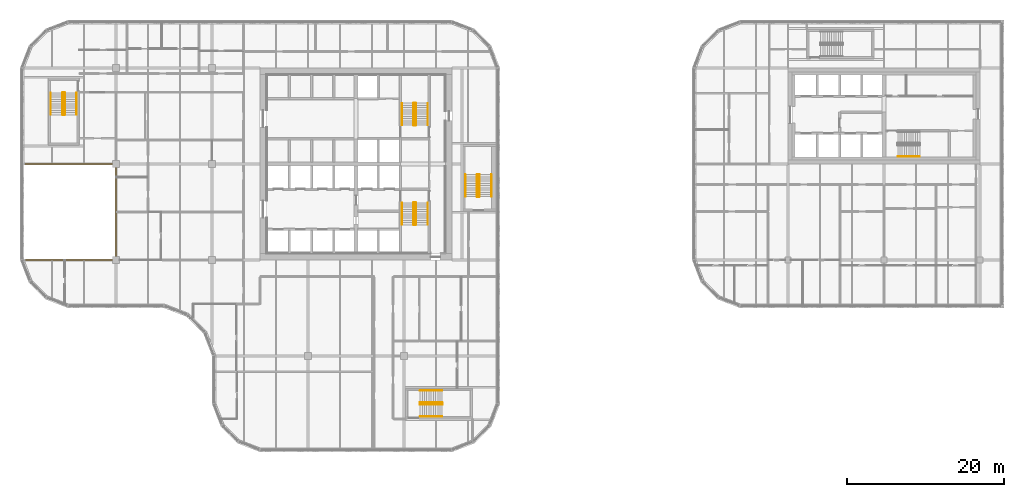
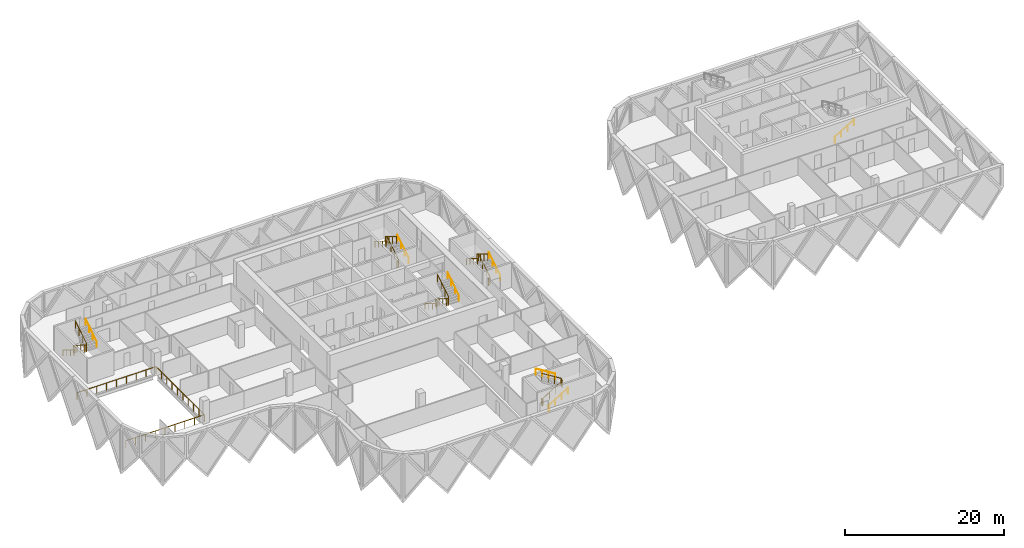
# One storey, part 23 of 24: 17 railings.
"""IFC4 building model written with IfcOpenShell, lengths in metres."""

from ifc_helpers import new_model, si_unit, direction, frame, origin, origin_2d, place, context, subcontext, project, spatial, circle, extrude, material, type_object, element, save


model = new_model("IFC4")

# Units and contexts
model_context = context("Model", 3, precision=1e-05, world=origin(), true_north=direction((0.0, 1.0)))
body_context = subcontext(model_context, "Body", "Model", "MODEL_VIEW")
ifc_project = project(units=[si_unit("LENGTHUNIT", "METRE"), si_unit("AREAUNIT", "SQUARE_METRE"), si_unit("VOLUMEUNIT", "CUBIC_METRE"), si_unit("PLANEANGLEUNIT", "RADIAN"), si_unit("MASSUNIT", "GRAM", prefix="KILO")], contexts=[model_context])

# Site, building, storey
site_placement = place(None, origin())
site = spatial("IfcSite", under=ifc_project, at=site_placement, CompositionType="ELEMENT")
building_placement = place(site_placement, origin())
building = spatial("IfcBuilding", under=site, at=building_placement, Name="Tessera Gate Towers", CompositionType="ELEMENT")
storey_placement = place(building_placement, frame((0.0, 0.0, 102.800048828125)))
storey = spatial("IfcBuildingStorey", under=building, at=storey_placement, Name="L25", CompositionType="ELEMENT", Elevation=102.800048828125)

# Railings
ifc_material_1 = material(Name="Toughened glass with stainless steel handrail", Category="steel")
railing_type_1 = type_object("IfcRailingType", Name="GUARD 1100 GLASS BALUSTRADE", PredefinedType="GUARDRAIL", material=ifc_material_1)
railing_1_placement = place(storey_placement, frame((0.750244140625, 24.39990234375, 0.0)))
element("IfcRailing", 1, at=railing_1_placement, inside=storey, type_object=railing_type_1, Name="Guard", PredefinedType="GUARDRAIL", context=body_context, shape_type="SweptSolid", body=[
    extrude(circle(Radius=0.02490234375, at=origin_2d()), frame((0.0, 0.0, 1.0751953125), z_axis=(1.0, 0.0, 0.0), x_axis=(0.0, 1.0, 0.0)), (0.0, 0.0, 1.0), 11.44970703125),
    extrude(circle(Radius=0.02490234375, at=origin_2d()), frame((11.44970703125, 0.0, 1.0751953125), z_axis=(0.0, 1.0, 0.0), x_axis=(-1.0, 0.0, 0.0)), (0.0, 0.0, 1.0), 12.2001953125),
    extrude(circle(Radius=0.02490234375, at=origin_2d()), frame((11.44970703125, 12.2001953125, 1.0751953125), z_axis=(-1.0, 0.0, 0.0), x_axis=(0.0, -1.0, 0.0)), (0.0, 0.0, 1.0), 11.5),
    extrude(circle(Radius=0.02490234375, at=origin_2d()), origin(), (0.0, 0.0, 1.0), 1.050048828125),
    extrude(circle(Radius=0.02490234375, at=origin_2d()), frame((1.43115234375, 0.0, 0.0)), (0.0, 0.0, 1.0), 1.050048828125),
    extrude(circle(Radius=0.02490234375, at=origin_2d()), frame((2.8623046875, 0.0, 0.0)), (0.0, 0.0, 1.0), 1.050048828125),
    extrude(circle(Radius=0.02490234375, at=origin_2d()), frame((4.293701171875, 0.0, 0.0)), (0.0, 0.0, 1.0), 1.050048828125),
    extrude(circle(Radius=0.02490234375, at=origin_2d()), frame((5.724853515625, 0.0, 0.0)), (0.0, 0.0, 1.0), 1.050048828125),
    extrude(circle(Radius=0.02490234375, at=origin_2d()), frame((7.156005859375, 0.0, 0.0)), (0.0, 0.0, 1.0), 1.050048828125),
    extrude(circle(Radius=0.02490234375, at=origin_2d()), frame((8.58740234375, 0.0, 0.0)), (0.0, 0.0, 1.0), 1.050048828125),
    extrude(circle(Radius=0.02490234375, at=origin_2d()), frame((10.0185546875, 0.0, 0.0)), (0.0, 0.0, 1.0), 1.050048828125),
    extrude(circle(Radius=0.02490234375, at=origin_2d()), frame((11.44970703125, 0.0, 0.0)), (0.0, 0.0, 1.0), 1.050048828125),
    extrude(circle(Radius=0.02490234375, at=origin_2d()), frame((11.44970703125, 1.35546875, 0.0)), (0.0, 0.0, 1.0), 1.050048828125),
    extrude(circle(Radius=0.02490234375, at=origin_2d()), frame((11.44970703125, 2.711181640625, 0.0)), (0.0, 0.0, 1.0), 1.050048828125),
    extrude(circle(Radius=0.02490234375, at=origin_2d()), frame((11.44970703125, 4.066650390625, 0.0)), (0.0, 0.0, 1.0), 1.050048828125),
    extrude(circle(Radius=0.02490234375, at=origin_2d()), frame((11.44970703125, 5.42236328125, 0.0)), (0.0, 0.0, 1.0), 1.050048828125),
    extrude(circle(Radius=0.02490234375, at=origin_2d()), frame((11.44970703125, 6.77783203125, 0.0)), (0.0, 0.0, 1.0), 1.050048828125),
    extrude(circle(Radius=0.02490234375, at=origin_2d()), frame((11.44970703125, 8.133544921875, 0.0)), (0.0, 0.0, 1.0), 1.050048828125),
    extrude(circle(Radius=0.02490234375, at=origin_2d()), frame((11.44970703125, 9.489013671875, 0.0)), (0.0, 0.0, 1.0), 1.050048828125),
    extrude(circle(Radius=0.02490234375, at=origin_2d()), frame((11.44970703125, 10.8447265625, 0.0)), (0.0, 0.0, 1.0), 1.050048828125),
    extrude(circle(Radius=0.02490234375, at=origin_2d()), frame((11.44970703125, 12.2001953125, 0.0)), (0.0, 0.0, 1.0), 1.050048828125),
    extrude(circle(Radius=0.02490234375, at=origin_2d()), frame((10.01220703125, 12.2001953125, 0.0)), (0.0, 0.0, 1.0), 1.050048828125),
    extrude(circle(Radius=0.02490234375, at=origin_2d()), frame((8.57470703125, 12.2001953125, 0.0)), (0.0, 0.0, 1.0), 1.050048828125),
    extrude(circle(Radius=0.02490234375, at=origin_2d()), frame((7.13720703125, 12.2001953125, 0.0)), (0.0, 0.0, 1.0), 1.050048828125),
    extrude(circle(Radius=0.02490234375, at=origin_2d()), frame((5.69970703125, 12.2001953125, 0.0)), (0.0, 0.0, 1.0), 1.050048828125),
    extrude(circle(Radius=0.02490234375, at=origin_2d()), frame((4.26220703125, 12.2001953125, 0.0)), (0.0, 0.0, 1.0), 1.050048828125),
    extrude(circle(Radius=0.02490234375, at=origin_2d()), frame((2.82470703125, 12.2001953125, 0.0)), (0.0, 0.0, 1.0), 1.050048828125),
    extrude(circle(Radius=0.02490234375, at=origin_2d()), frame((1.38720703125, 12.2001953125, 0.0)), (0.0, 0.0, 1.0), 1.050048828125),
    extrude(circle(Radius=0.02490234375, at=origin_2d()), frame((-0.05029296875, 12.2001953125, 0.0)), (0.0, 0.0, 1.0), 1.050048828125),
])
ifc_material_2 = material(Name="Steel 350W", Category="steel")
railing_type_2 = type_object("IfcRailingType", Name="STAIR GUARD 1100", PredefinedType="GUARDRAIL", material=ifc_material_2)
railing_2_placement = place(storey_placement, frame((50.27490234375, 31.72509765625, 0.0)))
element("IfcRailing", 2, at=railing_2_placement, inside=storey, type_object=railing_type_2, Name="L25 ST1 stair guard 1", PredefinedType="GUARDRAIL", context=body_context, shape_type="SweptSolid", body=[
    extrude(circle(Radius=0.02392578125, at=origin_2d()), frame((0.0, 0.0, 1.076171875), z_axis=(-1.0, 0.0, 0.0), x_axis=(0.0, -1.0, 0.0)), (0.0, 0.0, 1.0), 0.199951171875),
    extrude(circle(Radius=0.02392578125, at=origin_2d()), frame((-0.199951171875, 0.0, 1.076171875), z_axis=(-0.268277960024, -0.268277960024, 0.925231793839), x_axis=(0.707106781187, -0.707106781187, 0.0)), (0.0, 0.0, 1.0), 0.1865234375),
    extrude(circle(Radius=0.02392578125, at=origin_2d()), frame((-0.25, -0.050048828125, 1.24853515625), z_axis=(0.0, -0.851089632645, 0.525020415988), x_axis=(1.0, 0.0, 0.0)), (0.0, 0.0, 1.0), 3.2900390625),
    extrude(circle(Radius=0.02392578125, at=origin_2d()), frame((-0.25, -2.85009765625, 2.97607421875), z_axis=(0.707106781187, -0.707106781187, 0.0), x_axis=(0.707106781187, 0.707106781187, 0.0)), (0.0, 0.0, 1.0), 0.07080078125),
    extrude(circle(Radius=0.02392578125, at=origin_2d()), frame((-0.199951171875, -2.900146484375, 2.97607421875), z_axis=(1.0, 0.0, 0.0), x_axis=(0.0, 1.0, 0.0)), (0.0, 0.0, 1.0), 0.199951171875),
    extrude(circle(Radius=0.02392578125, at=origin_2d()), frame((0.0, -2.900146484375, 2.97607421875), z_axis=(0.267953482034, 0.267953482034, 0.925419830635), x_axis=(-0.707106781187, 0.707106781187, 0.0)), (0.0, 0.0, 1.0), 0.186767578125),
    extrude(circle(Radius=0.02392578125, at=origin_2d()), frame((0.050048828125, -2.85009765625, 3.14892578125), z_axis=(0.0, 0.851089632645, 0.525020415988), x_axis=(-1.0, 0.0, 0.0)), (0.0, 0.0, 1.0), 3.2900390625),
    extrude(circle(Radius=0.02099609375, at=origin_2d()), origin(), (0.0, 0.0, 1.0), 1.052001953125),
    extrude(circle(Radius=0.02099609375, at=origin_2d()), frame((-0.199951171875, 0.0, 0.0)), (0.0, 0.0, 1.0), 1.052001953125),
    extrude(circle(Radius=0.02099609375, at=origin_2d()), frame((-0.25, -0.050048828125, 0.172607421875)), (0.0, 0.0, 1.0), 1.052001953125),
    extrude(circle(Radius=0.02099609375, at=origin_2d()), frame((-0.25, -0.9833984375, 0.748291015625)), (0.0, 0.0, 1.0), 1.052001953125),
    extrude(circle(Radius=0.02099609375, at=origin_2d()), frame((-0.25, -1.916748046875, 1.32421875)), (0.0, 0.0, 1.0), 1.052001953125),
    extrude(circle(Radius=0.02099609375, at=origin_2d()), frame((-0.25, -2.85009765625, 1.89990234375)), (0.0, 0.0, 1.0), 1.052001953125),
    extrude(circle(Radius=0.02099609375, at=origin_2d()), frame((-0.199951171875, -2.900146484375, 1.89990234375)), (0.0, 0.0, 1.0), 1.052001953125),
    extrude(circle(Radius=0.02099609375, at=origin_2d()), frame((0.0, -2.900146484375, 1.89990234375)), (0.0, 0.0, 1.0), 1.052001953125),
    extrude(circle(Radius=0.02099609375, at=origin_2d()), frame((0.050048828125, -2.85009765625, 2.07275390625)), (0.0, 0.0, 1.0), 1.052001953125),
    extrude(circle(Radius=0.02099609375, at=origin_2d()), frame((0.050048828125, -1.916748046875, 2.6484375)), (0.0, 0.0, 1.0), 1.052001953125),
    extrude(circle(Radius=0.02099609375, at=origin_2d()), frame((0.050048828125, -0.9833984375, 3.224365234375)), (0.0, 0.0, 1.0), 1.052001953125),
    extrude(circle(Radius=0.02099609375, at=origin_2d()), frame((0.050048828125, -0.050048828125, 3.800048828125)), (0.0, 0.0, 1.0), 1.052001953125),
])
railing_3_placement = place(storey_placement, frame((50.074951171875, 41.47509765625, 0.0)))
element("IfcRailing", 3, at=railing_3_placement, inside=storey, type_object=railing_type_2, Name="L25 ST2 stair guard 1", PredefinedType="GUARDRAIL", context=body_context, shape_type="SweptSolid", body=[
    extrude(circle(Radius=0.02392578125, at=origin_2d()), frame((0.0, 0.0, 1.076171875), z_axis=(1.0, 0.0, 0.0), x_axis=(0.0, 1.0, 0.0)), (0.0, 0.0, 1.0), 0.199951171875),
    extrude(circle(Radius=0.02392578125, at=origin_2d()), frame((0.199951171875, 0.0, 1.076171875), z_axis=(0.268371968888, 0.267062837333, 0.925556009775), x_axis=(-0.705375805398, 0.708833529934, 0.0)), (0.0, 0.0, 1.0), 0.1865234375),
    extrude(circle(Radius=0.02392578125, at=origin_2d()), frame((0.25, 0.0498046875, 1.24853515625), z_axis=(0.0, 0.851089632645, 0.525020415988), x_axis=(-1.0, 0.0, 0.0)), (0.0, 0.0, 1.0), 3.2900390625),
    extrude(circle(Radius=0.02392578125, at=origin_2d()), frame((0.25, 2.849853515625, 2.97607421875), z_axis=(-0.707106781187, 0.707106781187, 0.0), x_axis=(-0.707106781187, -0.707106781187, 0.0)), (0.0, 0.0, 1.0), 0.07080078125),
    extrude(circle(Radius=0.02392578125, at=origin_2d()), frame((0.199951171875, 2.89990234375, 2.97607421875), z_axis=(-1.0, 0.0, 0.0), x_axis=(0.0, -1.0, 0.0)), (0.0, 0.0, 1.0), 0.199951171875),
    extrude(circle(Radius=0.02392578125, at=origin_2d()), frame((0.0, 2.89990234375, 2.97607421875), z_axis=(-0.267953482034, -0.267953482034, 0.925419830635), x_axis=(0.707106781187, -0.707106781187, 0.0)), (0.0, 0.0, 1.0), 0.186767578125),
    extrude(circle(Radius=0.02392578125, at=origin_2d()), frame((-0.050048828125, 2.849853515625, 3.14892578125), z_axis=(0.0, -0.851089632645, 0.525020415988), x_axis=(1.0, 0.0, 0.0)), (0.0, 0.0, 1.0), 3.2900390625),
    extrude(circle(Radius=0.02099609375, at=origin_2d()), origin(), (0.0, 0.0, 1.0), 1.052001953125),
    extrude(circle(Radius=0.02099609375, at=origin_2d()), frame((0.199951171875, 0.0, 0.0)), (0.0, 0.0, 1.0), 1.052001953125),
    extrude(circle(Radius=0.02099609375, at=origin_2d()), frame((0.25, 0.0498046875, 0.172607421875)), (0.0, 0.0, 1.0), 1.052001953125),
    extrude(circle(Radius=0.02099609375, at=origin_2d()), frame((0.25, 0.983154296875, 0.748291015625)), (0.0, 0.0, 1.0), 1.052001953125),
    extrude(circle(Radius=0.02099609375, at=origin_2d()), frame((0.25, 1.91650390625, 1.32421875)), (0.0, 0.0, 1.0), 1.052001953125),
    extrude(circle(Radius=0.02099609375, at=origin_2d()), frame((0.25, 2.849853515625, 1.89990234375)), (0.0, 0.0, 1.0), 1.052001953125),
    extrude(circle(Radius=0.02099609375, at=origin_2d()), frame((0.199951171875, 2.89990234375, 1.89990234375)), (0.0, 0.0, 1.0), 1.052001953125),
    extrude(circle(Radius=0.02099609375, at=origin_2d()), frame((0.0, 2.89990234375, 1.89990234375)), (0.0, 0.0, 1.0), 1.052001953125),
    extrude(circle(Radius=0.02099609375, at=origin_2d()), frame((-0.050048828125, 2.849853515625, 2.07275390625)), (0.0, 0.0, 1.0), 1.052001953125),
    extrude(circle(Radius=0.02099609375, at=origin_2d()), frame((-0.050048828125, 1.91650390625, 2.6484375)), (0.0, 0.0, 1.0), 1.052001953125),
    extrude(circle(Radius=0.02099609375, at=origin_2d()), frame((-0.050048828125, 0.983154296875, 3.224365234375)), (0.0, 0.0, 1.0), 1.052001953125),
    extrude(circle(Radius=0.02099609375, at=origin_2d()), frame((-0.050048828125, 0.0498046875, 3.800048828125)), (0.0, 0.0, 1.0), 1.052001953125),
])
railing_4_placement = place(storey_placement, frame((5.64990234375, 45.699951171875, 0.0)))
element("IfcRailing", 4, at=railing_4_placement, inside=storey, type_object=railing_type_2, Name="L25 ST3 stair guard 1", PredefinedType="GUARDRAIL", context=body_context, shape_type="SweptSolid", body=[
    extrude(circle(Radius=0.02392578125, at=origin_2d()), frame((0.0, 0.0, 1.076171875), z_axis=(-1.0, 0.0, 0.0), x_axis=(0.0, -1.0, 0.0)), (0.0, 0.0, 1.0), 0.199951171875),
    extrude(circle(Radius=0.02392578125, at=origin_2d()), frame((-0.199951171875, 0.0, 1.076171875), z_axis=(-0.268277960024, -0.268277960024, 0.925231793839), x_axis=(0.707106781187, -0.707106781187, 0.0)), (0.0, 0.0, 1.0), 0.1865234375),
    extrude(circle(Radius=0.02392578125, at=origin_2d()), frame((-0.25, -0.050048828125, 1.24853515625), z_axis=(0.0, -0.851069175582, 0.525053576669), x_axis=(1.0, 0.0, 0.0)), (0.0, 0.0, 1.0), 3.289794921875),
    extrude(circle(Radius=0.02392578125, at=origin_2d()), frame((-0.25, -2.849853515625, 2.97607421875), z_axis=(0.707106781187, -0.707106781187, 0.0), x_axis=(0.707106781187, 0.707106781187, 0.0)), (0.0, 0.0, 1.0), 0.07080078125),
    extrude(circle(Radius=0.02392578125, at=origin_2d()), frame((-0.199951171875, -2.89990234375, 2.97607421875), z_axis=(1.0, 0.0, 0.0), x_axis=(0.0, 1.0, 0.0)), (0.0, 0.0, 1.0), 0.199951171875),
    extrude(circle(Radius=0.02392578125, at=origin_2d()), frame((0.0, -2.89990234375, 2.97607421875), z_axis=(0.267953482034, 0.267953482034, 0.925419830635), x_axis=(-0.707106781187, 0.707106781187, 0.0)), (0.0, 0.0, 1.0), 0.186767578125),
    extrude(circle(Radius=0.02392578125, at=origin_2d()), frame((0.050048828125, -2.849853515625, 3.14892578125), z_axis=(0.0, 0.851069175582, 0.525053576669), x_axis=(-1.0, 0.0, 0.0)), (0.0, 0.0, 1.0), 3.289794921875),
    extrude(circle(Radius=0.02099609375, at=origin_2d()), origin(), (0.0, 0.0, 1.0), 1.052001953125),
    extrude(circle(Radius=0.02099609375, at=origin_2d()), frame((-0.199951171875, 0.0, 0.0)), (0.0, 0.0, 1.0), 1.052001953125),
    extrude(circle(Radius=0.02099609375, at=origin_2d()), frame((-0.25, -0.050048828125, 0.172607421875)), (0.0, 0.0, 1.0), 1.052001953125),
    extrude(circle(Radius=0.02099609375, at=origin_2d()), frame((-0.25, -0.9833984375, 0.748291015625)), (0.0, 0.0, 1.0), 1.052001953125),
    extrude(circle(Radius=0.02099609375, at=origin_2d()), frame((-0.25, -1.91650390625, 1.32421875)), (0.0, 0.0, 1.0), 1.052001953125),
    extrude(circle(Radius=0.02099609375, at=origin_2d()), frame((-0.25, -2.849853515625, 1.89990234375)), (0.0, 0.0, 1.0), 1.052001953125),
    extrude(circle(Radius=0.02099609375, at=origin_2d()), frame((-0.199951171875, -2.89990234375, 1.89990234375)), (0.0, 0.0, 1.0), 1.052001953125),
    extrude(circle(Radius=0.02099609375, at=origin_2d()), frame((0.0, -2.89990234375, 1.89990234375)), (0.0, 0.0, 1.0), 1.052001953125),
    extrude(circle(Radius=0.02099609375, at=origin_2d()), frame((0.050048828125, -2.849853515625, 2.07275390625)), (0.0, 0.0, 1.0), 1.052001953125),
    extrude(circle(Radius=0.02099609375, at=origin_2d()), frame((0.050048828125, -1.91650390625, 2.6484375)), (0.0, 0.0, 1.0), 1.052001953125),
    extrude(circle(Radius=0.02099609375, at=origin_2d()), frame((0.050048828125, -0.9833984375, 3.224365234375)), (0.0, 0.0, 1.0), 1.052001953125),
    extrude(circle(Radius=0.02099609375, at=origin_2d()), frame((0.050048828125, -0.050048828125, 3.800048828125)), (0.0, 0.0, 1.0), 1.052001953125),
])
railing_5_placement = place(storey_placement, frame((50.800048828125, 6.25, 0.0)))
element("IfcRailing", 5, at=railing_5_placement, inside=storey, type_object=railing_type_2, Name="L25 ST4 stair guard 1", PredefinedType="GUARDRAIL", context=body_context, shape_type="SweptSolid", body=[
    extrude(circle(Radius=0.02392578125, at=origin_2d()), frame((0.0, 0.0, 1.076171875), z_axis=(0.0, -1.0, 0.0), x_axis=(1.0, 0.0, 0.0)), (0.0, 0.0, 1.0), 0.199951171875),
    extrude(circle(Radius=0.02392578125, at=origin_2d()), frame((0.0, -0.199951171875, 1.076171875), z_axis=(0.268277960024, -0.268277960024, 0.925231793839), x_axis=(0.707106781187, 0.707106781187, 0.0)), (0.0, 0.0, 1.0), 0.1865234375),
    extrude(circle(Radius=0.02392578125, at=origin_2d()), frame((0.050048828125, -0.25, 1.24853515625), z_axis=(0.851069175582, 0.0, 0.525053576669), x_axis=(0.0, 1.0, 0.0)), (0.0, 0.0, 1.0), 3.289794921875),
    extrude(circle(Radius=0.02392578125, at=origin_2d()), frame((2.849853515625, -0.25, 2.97607421875), z_axis=(0.707106781187, 0.707106781187, 0.0), x_axis=(-0.707106781187, 0.707106781187, 0.0)), (0.0, 0.0, 1.0), 0.07080078125),
    extrude(circle(Radius=0.02392578125, at=origin_2d()), frame((2.89990234375, -0.199951171875, 2.97607421875), z_axis=(0.0, 1.0, 0.0), x_axis=(-1.0, 0.0, 0.0)), (0.0, 0.0, 1.0), 0.199951171875),
    extrude(circle(Radius=0.02392578125, at=origin_2d()), frame((2.89990234375, 0.0, 2.97607421875), z_axis=(-0.267953482034, 0.267953482034, 0.925419830635), x_axis=(-0.707106781187, -0.707106781187, 0.0)), (0.0, 0.0, 1.0), 0.186767578125),
    extrude(circle(Radius=0.02392578125, at=origin_2d()), frame((2.849853515625, 0.050048828125, 3.14892578125), z_axis=(-0.851069175582, 0.0, 0.525053576669), x_axis=(0.0, -1.0, 0.0)), (0.0, 0.0, 1.0), 3.289794921875),
    extrude(circle(Radius=0.02099609375, at=origin_2d()), origin(), (0.0, 0.0, 1.0), 1.052001953125),
    extrude(circle(Radius=0.02099609375, at=origin_2d()), frame((0.0, -0.199951171875, 0.0)), (0.0, 0.0, 1.0), 1.052001953125),
    extrude(circle(Radius=0.02099609375, at=origin_2d()), frame((0.050048828125, -0.25, 0.172607421875)), (0.0, 0.0, 1.0), 1.052001953125),
    extrude(circle(Radius=0.02099609375, at=origin_2d()), frame((0.9833984375, -0.25, 0.748291015625)), (0.0, 0.0, 1.0), 1.052001953125),
    extrude(circle(Radius=0.02099609375, at=origin_2d()), frame((1.91650390625, -0.25, 1.32421875)), (0.0, 0.0, 1.0), 1.052001953125),
    extrude(circle(Radius=0.02099609375, at=origin_2d()), frame((2.849853515625, -0.25, 1.89990234375)), (0.0, 0.0, 1.0), 1.052001953125),
    extrude(circle(Radius=0.02099609375, at=origin_2d()), frame((2.89990234375, -0.199951171875, 1.89990234375)), (0.0, 0.0, 1.0), 1.052001953125),
    extrude(circle(Radius=0.02099609375, at=origin_2d()), frame((2.89990234375, 0.0, 1.89990234375)), (0.0, 0.0, 1.0), 1.052001953125),
    extrude(circle(Radius=0.02099609375, at=origin_2d()), frame((2.849853515625, 0.050048828125, 2.07275390625)), (0.0, 0.0, 1.0), 1.052001953125),
    extrude(circle(Radius=0.02099609375, at=origin_2d()), frame((1.91650390625, 0.050048828125, 2.6484375)), (0.0, 0.0, 1.0), 1.052001953125),
    extrude(circle(Radius=0.02099609375, at=origin_2d()), frame((0.9833984375, 0.050048828125, 3.224365234375)), (0.0, 0.0, 1.0), 1.052001953125),
    extrude(circle(Radius=0.02099609375, at=origin_2d()), frame((0.050048828125, 0.050048828125, 3.800048828125)), (0.0, 0.0, 1.0), 1.052001953125),
])
railing_6_placement = place(storey_placement, frame((58.14990234375, 32.39990234375, 0.0)))
element("IfcRailing", 6, at=railing_6_placement, inside=storey, type_object=railing_type_2, Name="L25 ST5 stair guard 1", PredefinedType="GUARDRAIL", context=body_context, shape_type="SweptSolid", body=[
    extrude(circle(Radius=0.02392578125, at=origin_2d()), frame((0.0, 0.0, 1.076171875), z_axis=(1.0, 0.0, 0.0), x_axis=(0.0, 1.0, 0.0)), (0.0, 0.0, 1.0), 0.2001953125),
    extrude(circle(Radius=0.02392578125, at=origin_2d()), frame((0.2001953125, 0.0, 1.076171875), z_axis=(0.267062837333, 0.268371968888, 0.925556009775), x_axis=(-0.708833529934, 0.705375805398, 0.0)), (0.0, 0.0, 1.0), 0.1865234375),
    extrude(circle(Radius=0.02392578125, at=origin_2d()), frame((0.25, 0.050048828125, 1.24853515625), z_axis=(0.0, 0.851089632645, 0.525020415988), x_axis=(-1.0, 0.0, 0.0)), (0.0, 0.0, 1.0), 3.2900390625),
    extrude(circle(Radius=0.02392578125, at=origin_2d()), frame((0.25, 2.85009765625, 2.97607421875), z_axis=(-0.705375805398, 0.708833529934, 0.0), x_axis=(-0.708833529934, -0.705375805398, 0.0)), (0.0, 0.0, 1.0), 0.070556640625),
    extrude(circle(Radius=0.02392578125, at=origin_2d()), frame((0.2001953125, 2.900146484375, 2.97607421875), z_axis=(-1.0, 0.0, 0.0), x_axis=(0.0, -1.0, 0.0)), (0.0, 0.0, 1.0), 0.2001953125),
    extrude(circle(Radius=0.02392578125, at=origin_2d()), frame((0.0, 2.900146484375, 2.97607421875), z_axis=(-0.266739603011, -0.268047150085, 0.925743328097), x_axis=(0.708833529934, -0.705375805398, 0.0)), (0.0, 0.0, 1.0), 0.186767578125),
    extrude(circle(Radius=0.02392578125, at=origin_2d()), frame((-0.0498046875, 2.85009765625, 3.14892578125), z_axis=(0.0, -0.851089632645, 0.525020415988), x_axis=(1.0, 0.0, 0.0)), (0.0, 0.0, 1.0), 3.2900390625),
    extrude(circle(Radius=0.02099609375, at=origin_2d()), origin(), (0.0, 0.0, 1.0), 1.052001953125),
    extrude(circle(Radius=0.02099609375, at=origin_2d()), frame((0.2001953125, 0.0, 0.0)), (0.0, 0.0, 1.0), 1.052001953125),
    extrude(circle(Radius=0.02099609375, at=origin_2d()), frame((0.25, 0.050048828125, 0.172607421875)), (0.0, 0.0, 1.0), 1.052001953125),
    extrude(circle(Radius=0.02099609375, at=origin_2d()), frame((0.25, 0.9833984375, 0.748291015625)), (0.0, 0.0, 1.0), 1.052001953125),
    extrude(circle(Radius=0.02099609375, at=origin_2d()), frame((0.25, 1.916748046875, 1.32421875)), (0.0, 0.0, 1.0), 1.052001953125),
    extrude(circle(Radius=0.02099609375, at=origin_2d()), frame((0.25, 2.85009765625, 1.89990234375)), (0.0, 0.0, 1.0), 1.052001953125),
    extrude(circle(Radius=0.02099609375, at=origin_2d()), frame((0.2001953125, 2.900146484375, 1.89990234375)), (0.0, 0.0, 1.0), 1.052001953125),
    extrude(circle(Radius=0.02099609375, at=origin_2d()), frame((0.0, 2.900146484375, 1.89990234375)), (0.0, 0.0, 1.0), 1.052001953125),
    extrude(circle(Radius=0.02099609375, at=origin_2d()), frame((-0.0498046875, 2.85009765625, 2.07275390625)), (0.0, 0.0, 1.0), 1.052001953125),
    extrude(circle(Radius=0.02099609375, at=origin_2d()), frame((-0.0498046875, 1.916748046875, 2.6484375)), (0.0, 0.0, 1.0), 1.052001953125),
    extrude(circle(Radius=0.02099609375, at=origin_2d()), frame((-0.0498046875, 0.9833984375, 3.224365234375)), (0.0, 0.0, 1.0), 1.052001953125),
    extrude(circle(Radius=0.02099609375, at=origin_2d()), frame((-0.0498046875, 0.050048828125, 3.800048828125)), (0.0, 0.0, 1.0), 1.052001953125),
])
ifc_material_3 = material(Name="Steel 350W", Category="steel")
railing_type_3 = type_object("IfcRailingType", Name="STAIR HANDRAIL 900", PredefinedType="HANDRAIL", material=ifc_material_3)
railing_7_placement = place(storey_placement, frame((48.52490234375, 31.675048828125, 0.172607421875)))
element("IfcRailing", 7, at=railing_7_placement, inside=storey, type_object=railing_type_3, Name="L25 ST1 stair handrail 1", PredefinedType="HANDRAIL", context=body_context, shape_type="SweptSolid", body=[
    extrude(circle(Radius=0.02392578125, at=origin_2d()), frame((0.0, 0.0, 0.8759765625), z_axis=(0.0, -0.851089632645, 0.525020415988), x_axis=(1.0, 0.0, 0.0)), (0.0, 0.0, 1.0), 3.2900390625),
    extrude(circle(Radius=0.02099609375, at=origin_2d()), origin(), (0.0, 0.0, 1.0), 0.851806640625),
    extrude(circle(Radius=0.02099609375, at=origin_2d()), frame((0.0, -0.933349609375, 0.57568359375)), (0.0, 0.0, 1.0), 0.851806640625),
    extrude(circle(Radius=0.02099609375, at=origin_2d()), frame((0.0, -1.86669921875, 1.151611328125)), (0.0, 0.0, 1.0), 0.851806640625),
    extrude(circle(Radius=0.02099609375, at=origin_2d()), frame((0.0, -2.800048828125, 1.727294921875)), (0.0, 0.0, 1.0), 0.851806640625),
])
for number, where, name in (
    (8, (51.824951171875, 28.875, 2.07275390625), "L25 ST1 stair handrail 2"),
    (9, (51.824951171875, 41.52490234375, 0.172607421875), "L25 ST2 stair handrail 1"),
):
    element("IfcRailing", number, at=place(storey_placement, frame(where)), inside=storey, type_object=railing_type_3, Name=name, PredefinedType="HANDRAIL", context=body_context, shape_type="SweptSolid", body=[
        extrude(circle(Radius=0.02392578125, at=origin_2d()), frame((0.0, 0.0, 0.8759765625), z_axis=(0.0, 0.851089632645, 0.525020415988), x_axis=(-1.0, 0.0, 0.0)), (0.0, 0.0, 1.0), 3.2900390625),
        extrude(circle(Radius=0.02099609375, at=origin_2d()), origin(), (0.0, 0.0, 1.0), 0.851806640625),
        extrude(circle(Radius=0.02099609375, at=origin_2d()), frame((0.0, 0.933349609375, 0.57568359375)), (0.0, 0.0, 1.0), 0.851806640625),
        extrude(circle(Radius=0.02099609375, at=origin_2d()), frame((0.0, 1.86669921875, 1.151611328125)), (0.0, 0.0, 1.0), 0.851806640625),
        extrude(circle(Radius=0.02099609375, at=origin_2d()), frame((0.0, 2.800048828125, 1.727294921875)), (0.0, 0.0, 1.0), 0.851806640625),
    ])
railing_8_placement = place(storey_placement, frame((48.52490234375, 44.324951171875, 2.07275390625)))
element("IfcRailing", 10, at=railing_8_placement, inside=storey, type_object=railing_type_3, Name="L25 ST2 stair handrail 2", PredefinedType="HANDRAIL", context=body_context, shape_type="SweptSolid", body=[
    extrude(circle(Radius=0.02392578125, at=origin_2d()), frame((0.0, 0.0, 0.8759765625), z_axis=(0.0, -0.851089632645, 0.525020415988), x_axis=(1.0, 0.0, 0.0)), (0.0, 0.0, 1.0), 3.2900390625),
    extrude(circle(Radius=0.02099609375, at=origin_2d()), origin(), (0.0, 0.0, 1.0), 0.851806640625),
    extrude(circle(Radius=0.02099609375, at=origin_2d()), frame((0.0, -0.933349609375, 0.57568359375)), (0.0, 0.0, 1.0), 0.851806640625),
    extrude(circle(Radius=0.02099609375, at=origin_2d()), frame((0.0, -1.86669921875, 1.151611328125)), (0.0, 0.0, 1.0), 0.851806640625),
    extrude(circle(Radius=0.02099609375, at=origin_2d()), frame((0.0, -2.800048828125, 1.727294921875)), (0.0, 0.0, 1.0), 0.851806640625),
])
railing_9_placement = place(storey_placement, frame((3.89990234375, 45.64990234375, 0.172607421875)))
element("IfcRailing", 11, at=railing_9_placement, inside=storey, type_object=railing_type_3, Name="L25 ST3 stair handrail 1", PredefinedType="HANDRAIL", context=body_context, shape_type="SweptSolid", body=[
    extrude(circle(Radius=0.02392578125, at=origin_2d()), frame((0.0, 0.0, 0.8759765625), z_axis=(0.0, -0.851069175582, 0.525053576669), x_axis=(1.0, 0.0, 0.0)), (0.0, 0.0, 1.0), 3.289794921875),
    extrude(circle(Radius=0.02099609375, at=origin_2d()), origin(), (0.0, 0.0, 1.0), 0.851806640625),
    extrude(circle(Radius=0.02099609375, at=origin_2d()), frame((0.0, -0.933349609375, 0.57568359375)), (0.0, 0.0, 1.0), 0.851806640625),
    extrude(circle(Radius=0.02099609375, at=origin_2d()), frame((0.0, -1.866455078125, 1.151611328125)), (0.0, 0.0, 1.0), 0.851806640625),
    extrude(circle(Radius=0.02099609375, at=origin_2d()), frame((0.0, -2.7998046875, 1.727294921875)), (0.0, 0.0, 1.0), 0.851806640625),
])
railing_10_placement = place(storey_placement, frame((7.199951171875, 42.85009765625, 2.07275390625)))
element("IfcRailing", 12, at=railing_10_placement, inside=storey, type_object=railing_type_3, Name="L25 ST3 stair handrail 2", PredefinedType="HANDRAIL", context=body_context, shape_type="SweptSolid", body=[
    extrude(circle(Radius=0.02392578125, at=origin_2d()), frame((0.0, 0.0, 0.8759765625), z_axis=(0.0, 0.851069175582, 0.525053576669), x_axis=(-1.0, 0.0, 0.0)), (0.0, 0.0, 1.0), 3.289794921875),
    extrude(circle(Radius=0.02099609375, at=origin_2d()), origin(), (0.0, 0.0, 1.0), 0.851806640625),
    extrude(circle(Radius=0.02099609375, at=origin_2d()), frame((0.0, 0.933349609375, 0.57568359375)), (0.0, 0.0, 1.0), 0.851806640625),
    extrude(circle(Radius=0.02099609375, at=origin_2d()), frame((0.0, 1.866455078125, 1.151611328125)), (0.0, 0.0, 1.0), 0.851806640625),
    extrude(circle(Radius=0.02099609375, at=origin_2d()), frame((0.0, 2.7998046875, 1.727294921875)), (0.0, 0.0, 1.0), 0.851806640625),
])
railing_11_placement = place(storey_placement, frame((50.85009765625, 4.5, 0.172607421875)))
element("IfcRailing", 13, at=railing_11_placement, inside=storey, type_object=railing_type_3, Name="L25 ST4 stair handrail 1", PredefinedType="HANDRAIL", context=body_context, shape_type="SweptSolid", body=[
    extrude(circle(Radius=0.02392578125, at=origin_2d()), frame((0.0, 0.0, 0.8759765625), z_axis=(0.851069175582, 0.0, 0.525053576669), x_axis=(0.0, 1.0, 0.0)), (0.0, 0.0, 1.0), 3.289794921875),
    extrude(circle(Radius=0.02099609375, at=origin_2d()), origin(), (0.0, 0.0, 1.0), 0.851806640625),
    extrude(circle(Radius=0.02099609375, at=origin_2d()), frame((0.933349609375, 0.0, 0.57568359375)), (0.0, 0.0, 1.0), 0.851806640625),
    extrude(circle(Radius=0.02099609375, at=origin_2d()), frame((1.866455078125, 0.0, 1.151611328125)), (0.0, 0.0, 1.0), 0.851806640625),
    extrude(circle(Radius=0.02099609375, at=origin_2d()), frame((2.7998046875, 0.0, 1.727294921875)), (0.0, 0.0, 1.0), 0.851806640625),
])
railing_12_placement = place(storey_placement, frame((53.64990234375, 7.800048828125, 2.07275390625)))
element("IfcRailing", 14, at=railing_12_placement, inside=storey, type_object=railing_type_3, Name="L25 ST4 stair handrail 2", PredefinedType="HANDRAIL", context=body_context, shape_type="SweptSolid", body=[
    extrude(circle(Radius=0.02392578125, at=origin_2d()), frame((0.0, 0.0, 0.8759765625), z_axis=(-0.851069175582, 0.0, 0.525053576669), x_axis=(0.0, -1.0, 0.0)), (0.0, 0.0, 1.0), 3.289794921875),
    extrude(circle(Radius=0.02099609375, at=origin_2d()), origin(), (0.0, 0.0, 1.0), 0.851806640625),
    extrude(circle(Radius=0.02099609375, at=origin_2d()), frame((-0.933349609375, 0.0, 0.57568359375)), (0.0, 0.0, 1.0), 0.851806640625),
    extrude(circle(Radius=0.02099609375, at=origin_2d()), frame((-1.866455078125, 0.0, 1.151611328125)), (0.0, 0.0, 1.0), 0.851806640625),
    extrude(circle(Radius=0.02099609375, at=origin_2d()), frame((-2.7998046875, 0.0, 1.727294921875)), (0.0, 0.0, 1.0), 0.851806640625),
])
railing_13_placement = place(storey_placement, frame((59.89990234375, 32.449951171875, 0.172607421875)))
element("IfcRailing", 15, at=railing_13_placement, inside=storey, type_object=railing_type_3, Name="L25 ST5 stair handrail 1", PredefinedType="HANDRAIL", context=body_context, shape_type="SweptSolid", body=[
    extrude(circle(Radius=0.02392578125, at=origin_2d()), frame((0.0, 0.0, 0.8759765625), z_axis=(0.0, 0.851089632645, 0.525020415988), x_axis=(-1.0, 0.0, 0.0)), (0.0, 0.0, 1.0), 3.2900390625),
    extrude(circle(Radius=0.02099609375, at=origin_2d()), origin(), (0.0, 0.0, 1.0), 0.851806640625),
    extrude(circle(Radius=0.02099609375, at=origin_2d()), frame((0.0, 0.933349609375, 0.57568359375)), (0.0, 0.0, 1.0), 0.851806640625),
    extrude(circle(Radius=0.02099609375, at=origin_2d()), frame((0.0, 1.86669921875, 1.151611328125)), (0.0, 0.0, 1.0), 0.851806640625),
    extrude(circle(Radius=0.02099609375, at=origin_2d()), frame((0.0, 2.800048828125, 1.727294921875)), (0.0, 0.0, 1.0), 0.851806640625),
])
railing_14_placement = place(storey_placement, frame((56.60009765625, 35.25, 2.07275390625)))
element("IfcRailing", 16, at=railing_14_placement, inside=storey, type_object=railing_type_3, Name="L25 ST5 stair handrail 2", PredefinedType="HANDRAIL", context=body_context, shape_type="SweptSolid", body=[
    extrude(circle(Radius=0.02392578125, at=origin_2d()), frame((0.0, 0.0, 0.8759765625), z_axis=(0.0, -0.851089632645, 0.525020415988), x_axis=(1.0, 0.0, 0.0)), (0.0, 0.0, 1.0), 3.2900390625),
    extrude(circle(Radius=0.02099609375, at=origin_2d()), origin(), (0.0, 0.0, 1.0), 0.851806640625),
    extrude(circle(Radius=0.02099609375, at=origin_2d()), frame((0.0, -0.933349609375, 0.57568359375)), (0.0, 0.0, 1.0), 0.851806640625),
    extrude(circle(Radius=0.02099609375, at=origin_2d()), frame((0.0, -1.86669921875, 1.151611328125)), (0.0, 0.0, 1.0), 0.851806640625),
    extrude(circle(Radius=0.02099609375, at=origin_2d()), frame((0.0, -2.800048828125, 1.727294921875)), (0.0, 0.0, 1.0), 0.851806640625),
])
railing_15_placement = place(storey_placement, frame((111.550048828125, 37.550048828125, 0.172607421875)))
element("IfcRailing", 17, at=railing_15_placement, inside=storey, type_object=railing_type_3, Name="L25 ST6 stair handrail 1", PredefinedType="HANDRAIL", context=body_context, shape_type="SweptSolid", body=[
    extrude(circle(Radius=0.02392578125, at=origin_2d()), frame((0.0, 0.0, 0.8759765625), z_axis=(0.851089632645, 0.0, 0.525020415988), x_axis=(0.0, 1.0, 0.0)), (0.0, 0.0, 1.0), 3.2900390625),
    extrude(circle(Radius=0.02099609375, at=origin_2d()), origin(), (0.0, 0.0, 1.0), 0.851806640625),
    extrude(circle(Radius=0.02099609375, at=origin_2d()), frame((0.933349609375, 0.0, 0.57568359375)), (0.0, 0.0, 1.0), 0.851806640625),
    extrude(circle(Radius=0.02099609375, at=origin_2d()), frame((1.86669921875, 0.0, 1.151611328125)), (0.0, 0.0, 1.0), 0.851806640625),
    extrude(circle(Radius=0.02099609375, at=origin_2d()), frame((2.800048828125, 0.0, 1.727294921875)), (0.0, 0.0, 1.0), 0.851806640625),
])

save(model, "model.ifc")
